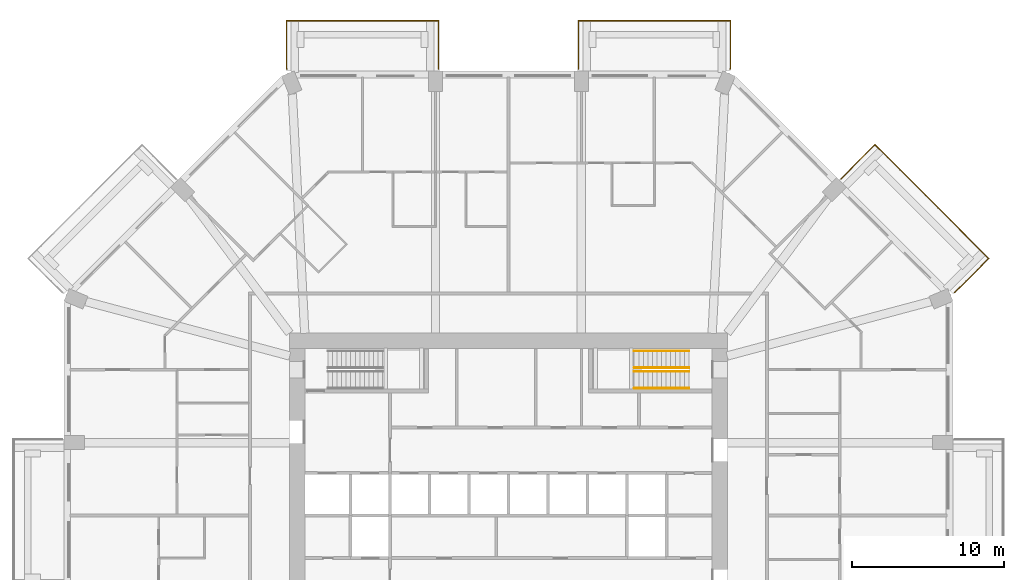
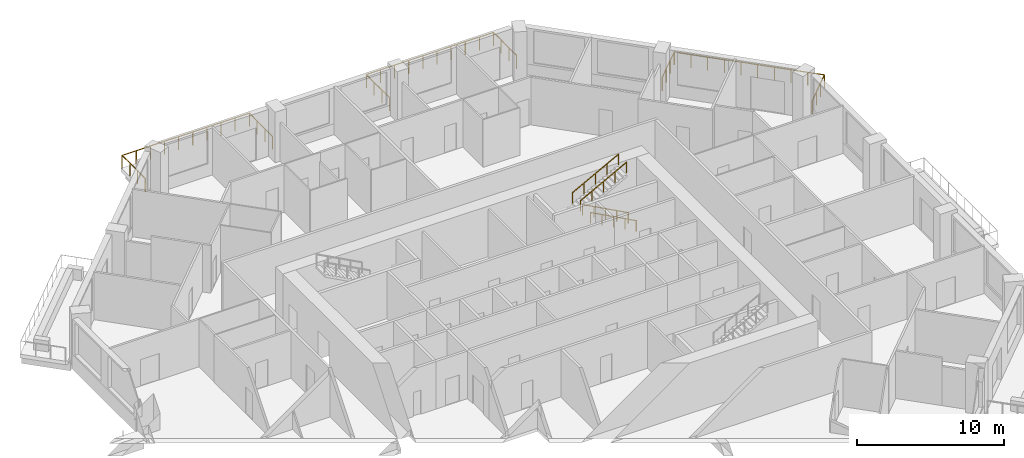
# One storey, part 13 of 13: 7 railings.
"""IFC4 building model written with IfcOpenShell, lengths in metres."""

from ifc_helpers import new_model, si_unit, direction, frame, origin, origin_2d, place, context, subcontext, project, spatial, circle, extrude, material, constituent, constituent_set, type_object, element, save


model = new_model("IFC4")

# Units and contexts
model_context = context("Model", 3, precision=1e-05, world=origin(), true_north=direction((0.0, 1.0)))
body_context = subcontext(model_context, "Body", "Model", "MODEL_VIEW")
ifc_project = project(units=[si_unit("LENGTHUNIT", "METRE"), si_unit("AREAUNIT", "SQUARE_METRE"), si_unit("VOLUMEUNIT", "CUBIC_METRE"), si_unit("PLANEANGLEUNIT", "RADIAN"), si_unit("MASSUNIT", "GRAM", prefix="KILO")], contexts=[model_context])

# Site, building, storey
site_placement = place(None, origin())
site = spatial("IfcSite", under=ifc_project, at=site_placement, CompositionType="ELEMENT")
building_placement = place(site_placement, origin())
building = spatial("IfcBuilding", under=site, at=building_placement, Name="Msitu Wima Residences", CompositionType="ELEMENT")
storey_placement = place(building_placement, frame((0.0, 0.0, 42.300048828125)))
storey = spatial("IfcBuildingStorey", under=building, at=storey_placement, Name="L09", CompositionType="ELEMENT", Elevation=42.300048828125)

# Railings
ifc_material_1 = material(Name="Steel S355", Category="steel")
ifc_constituent_1 = constituent(ifc_material_1, Name="Steel S355")
ifc_material_2 = material(Name="Weathering patina")
ifc_constituent_2 = constituent(ifc_material_2, Name="Weathering patina")
ifc_constituent_set_1 = constituent_set(constituents=[ifc_constituent_1, ifc_constituent_2], Name="Steel S355")
railing_type_1 = type_object("IfcRailingType", Name="Balcony guard GR1100", PredefinedType="GUARDRAIL", material=ifc_constituent_set_1)
railing_1_placement = place(storey_placement, frame((21.86865234375, 22.151611328125, 0.0)))
element("IfcRailing", 1, at=railing_1_placement, inside=storey, type_object=railing_type_1, Name="Balcony guard NE0 L09", PredefinedType="GUARDRAIL", context=body_context, shape_type="SweptSolid", body=[
    extrude(circle(Radius=0.02392578125, at=origin_2d()), frame((0.0, 0.0, 1.076171875), z_axis=(0.707145287287, 0.707068272989, 0.0), x_axis=(-0.707068272989, 0.707145287287, 0.0)), (0.0, 0.0, 1.0), 3.170166015625),
    extrude(circle(Radius=0.02392578125, at=origin_2d()), frame((2.24169921875, 2.241455078125, 1.076171875), z_axis=(0.70709524572, -0.707118316465, 0.0), x_axis=(0.707118316465, 0.70709524572, 0.0)), (0.0, 0.0, 1.0), 10.582275390625),
    extrude(circle(Radius=0.02392578125, at=origin_2d()), frame((9.724365234375, -5.241455078125, 1.076171875), z_axis=(-0.707106781187, -0.707106781187, 0.0), x_axis=(0.707106781187, -0.707106781187, 0.0)), (0.0, 0.0, 1.0), 3.136474609375),
    extrude(circle(Radius=0.02392578125, at=origin_2d()), frame((7.506591796875, -7.459228515625, 1.076171875), z_axis=(-0.923276184907, -0.384136806859, 0.0), x_axis=(0.384136806859, -0.923276184907, 0.0)), (0.0, 0.0, 1.0), 0.0361328125),
    extrude(circle(Radius=0.02099609375, at=origin_2d()), origin(), (0.0, 0.0, 1.0), 1.052001953125),
    extrude(circle(Radius=0.02099609375, at=origin_2d()), frame((0.747314453125, 0.7470703125, 0.0)), (0.0, 0.0, 1.0), 1.052001953125),
    extrude(circle(Radius=0.02099609375, at=origin_2d()), frame((1.494384765625, 1.494384765625, 0.0)), (0.0, 0.0, 1.0), 1.052001953125),
    extrude(circle(Radius=0.02099609375, at=origin_2d()), frame((2.24169921875, 2.241455078125, 0.0)), (0.0, 0.0, 1.0), 1.052001953125),
    extrude(circle(Radius=0.02099609375, at=origin_2d()), frame((3.072998046875, 1.409912109375, 0.0)), (0.0, 0.0, 1.0), 1.052001953125),
    extrude(circle(Radius=0.02099609375, at=origin_2d()), frame((3.904541015625, 0.57861328125, 0.0)), (0.0, 0.0, 1.0), 1.052001953125),
    extrude(circle(Radius=0.02099609375, at=origin_2d()), frame((4.73583984375, -0.2529296875, 0.0)), (0.0, 0.0, 1.0), 1.052001953125),
    extrude(circle(Radius=0.02099609375, at=origin_2d()), frame((5.5673828125, -1.084228515625, 0.0)), (0.0, 0.0, 1.0), 1.052001953125),
    extrude(circle(Radius=0.02099609375, at=origin_2d()), frame((6.398681640625, -1.915771484375, 0.0)), (0.0, 0.0, 1.0), 1.052001953125),
    extrude(circle(Radius=0.02099609375, at=origin_2d()), frame((7.230224609375, -2.7470703125, 0.0)), (0.0, 0.0, 1.0), 1.052001953125),
    extrude(circle(Radius=0.02099609375, at=origin_2d()), frame((8.0615234375, -3.57861328125, 0.0)), (0.0, 0.0, 1.0), 1.052001953125),
    extrude(circle(Radius=0.02099609375, at=origin_2d()), frame((8.89306640625, -4.409912109375, 0.0)), (0.0, 0.0, 1.0), 1.052001953125),
    extrude(circle(Radius=0.02099609375, at=origin_2d()), frame((9.724365234375, -5.241455078125, 0.0)), (0.0, 0.0, 1.0), 1.052001953125),
    extrude(circle(Radius=0.02099609375, at=origin_2d()), frame((8.985107421875, -5.980712890625, 0.0)), (0.0, 0.0, 1.0), 1.052001953125),
    extrude(circle(Radius=0.02099609375, at=origin_2d()), frame((8.245849609375, -6.719970703125, 0.0)), (0.0, 0.0, 1.0), 1.052001953125),
    extrude(circle(Radius=0.02099609375, at=origin_2d()), frame((7.506591796875, -7.459228515625, 0.0)), (0.0, 0.0, 1.0), 1.052001953125),
    extrude(circle(Radius=0.02099609375, at=origin_2d()), frame((7.47314453125, -7.47314453125, 0.0)), (0.0, 0.0, 1.0), 1.052001953125),
])
railing_2_placement = place(storey_placement, frame((4.60009765625, 29.3798828125, 0.0)))
element("IfcRailing", 2, at=railing_2_placement, inside=storey, type_object=railing_type_1, Name="Balcony guard N0 L09", PredefinedType="GUARDRAIL", context=body_context, shape_type="SweptSolid", body=[
    extrude(circle(Radius=0.02392578125, at=origin_2d()), frame((0.0, 0.0, 1.076171875), z_axis=(0.0, 1.0, 0.0), x_axis=(-1.0, 0.0, 0.0)), (0.0, 0.0, 1.0), 3.170166015625),
    extrude(circle(Radius=0.02392578125, at=origin_2d()), frame((0.0, 3.170166015625, 1.076171875), z_axis=(1.0, 0.0, 0.0), x_axis=(0.0, 1.0, 0.0)), (0.0, 0.0, 1.0), 10.0),
    extrude(circle(Radius=0.02392578125, at=origin_2d()), frame((10.0, 3.170166015625, 1.076171875), z_axis=(0.0, -1.0, 0.0), x_axis=(1.0, 0.0, 0.0)), (0.0, 0.0, 1.0), 3.136474609375),
    extrude(circle(Radius=0.02392578125, at=origin_2d()), frame((10.0, 0.03369140625, 1.076171875), z_axis=(-0.38176015442, -0.92426142649, 0.0), x_axis=(0.92426142649, -0.38176015442, 0.0)), (0.0, 0.0, 1.0), 0.036376953125),
    extrude(circle(Radius=0.02099609375, at=origin_2d()), origin(), (0.0, 0.0, 1.0), 1.052001953125),
    extrude(circle(Radius=0.02099609375, at=origin_2d()), frame((0.0, 1.056640625, 0.0)), (0.0, 0.0, 1.0), 1.052001953125),
    extrude(circle(Radius=0.02099609375, at=origin_2d()), frame((0.0, 2.113525390625, 0.0)), (0.0, 0.0, 1.0), 1.052001953125),
    extrude(circle(Radius=0.02099609375, at=origin_2d()), frame((0.0, 3.170166015625, 0.0)), (0.0, 0.0, 1.0), 1.052001953125),
    extrude(circle(Radius=0.02099609375, at=origin_2d()), frame((1.111083984375, 3.170166015625, 0.0)), (0.0, 0.0, 1.0), 1.052001953125),
    extrude(circle(Radius=0.02099609375, at=origin_2d()), frame((2.22216796875, 3.170166015625, 0.0)), (0.0, 0.0, 1.0), 1.052001953125),
    extrude(circle(Radius=0.02099609375, at=origin_2d()), frame((3.333251953125, 3.170166015625, 0.0)), (0.0, 0.0, 1.0), 1.052001953125),
    extrude(circle(Radius=0.02099609375, at=origin_2d()), frame((4.4443359375, 3.170166015625, 0.0)), (0.0, 0.0, 1.0), 1.052001953125),
    extrude(circle(Radius=0.02099609375, at=origin_2d()), frame((5.5556640625, 3.170166015625, 0.0)), (0.0, 0.0, 1.0), 1.052001953125),
    extrude(circle(Radius=0.02099609375, at=origin_2d()), frame((6.666748046875, 3.170166015625, 0.0)), (0.0, 0.0, 1.0), 1.052001953125),
    extrude(circle(Radius=0.02099609375, at=origin_2d()), frame((7.77783203125, 3.170166015625, 0.0)), (0.0, 0.0, 1.0), 1.052001953125),
    extrude(circle(Radius=0.02099609375, at=origin_2d()), frame((8.888916015625, 3.170166015625, 0.0)), (0.0, 0.0, 1.0), 1.052001953125),
    extrude(circle(Radius=0.02099609375, at=origin_2d()), frame((10.0, 3.170166015625, 0.0)), (0.0, 0.0, 1.0), 1.052001953125),
    extrude(circle(Radius=0.02099609375, at=origin_2d()), frame((10.0, 2.124755859375, 0.0)), (0.0, 0.0, 1.0), 1.052001953125),
    extrude(circle(Radius=0.02099609375, at=origin_2d()), frame((10.0, 1.0791015625, 0.0)), (0.0, 0.0, 1.0), 1.052001953125),
    extrude(circle(Radius=0.02099609375, at=origin_2d()), frame((10.0, 0.03369140625, 0.0)), (0.0, 0.0, 1.0), 1.052001953125),
    extrude(circle(Radius=0.02099609375, at=origin_2d()), frame((9.986083984375, 0.0, 0.0)), (0.0, 0.0, 1.0), 1.052001953125),
])
railing_3_placement = place(storey_placement, frame((-14.586181640625, 29.3798828125, 0.0)))
element("IfcRailing", 3, at=railing_3_placement, inside=storey, type_object=railing_type_1, Name="Balcony guard N2 L09", PredefinedType="GUARDRAIL", context=body_context, shape_type="SweptSolid", body=[
    extrude(circle(Radius=0.02392578125, at=origin_2d()), frame((0.0, 0.0, 1.076171875), z_axis=(-0.38176015442, 0.92426142649, 0.0), x_axis=(-0.92426142649, -0.38176015442, 0.0)), (0.0, 0.0, 1.0), 0.036376953125),
    extrude(circle(Radius=0.02392578125, at=origin_2d()), frame((-0.013916015625, 0.03369140625, 1.076171875), z_axis=(0.0, 1.0, 0.0), x_axis=(-1.0, 0.0, 0.0)), (0.0, 0.0, 1.0), 3.136474609375),
    extrude(circle(Radius=0.02392578125, at=origin_2d()), frame((-0.013916015625, 3.170166015625, 1.076171875), z_axis=(1.0, 0.0, 0.0), x_axis=(0.0, 1.0, 0.0)), (0.0, 0.0, 1.0), 10.0),
    extrude(circle(Radius=0.02392578125, at=origin_2d()), frame((9.986083984375, 3.170166015625, 1.076171875), z_axis=(0.0, -1.0, 0.0), x_axis=(1.0, 0.0, 0.0)), (0.0, 0.0, 1.0), 3.170166015625),
    extrude(circle(Radius=0.02099609375, at=origin_2d()), origin(), (0.0, 0.0, 1.0), 1.052001953125),
    extrude(circle(Radius=0.02099609375, at=origin_2d()), frame((-0.013916015625, 0.03369140625, 0.0)), (0.0, 0.0, 1.0), 1.052001953125),
    extrude(circle(Radius=0.02099609375, at=origin_2d()), frame((-0.013916015625, 1.0791015625, 0.0)), (0.0, 0.0, 1.0), 1.052001953125),
    extrude(circle(Radius=0.02099609375, at=origin_2d()), frame((-0.013916015625, 2.124755859375, 0.0)), (0.0, 0.0, 1.0), 1.052001953125),
    extrude(circle(Radius=0.02099609375, at=origin_2d()), frame((-0.013916015625, 3.170166015625, 0.0)), (0.0, 0.0, 1.0), 1.052001953125),
    extrude(circle(Radius=0.02099609375, at=origin_2d()), frame((1.09716796875, 3.170166015625, 0.0)), (0.0, 0.0, 1.0), 1.052001953125),
    extrude(circle(Radius=0.02099609375, at=origin_2d()), frame((2.208251953125, 3.170166015625, 0.0)), (0.0, 0.0, 1.0), 1.052001953125),
    extrude(circle(Radius=0.02099609375, at=origin_2d()), frame((3.3193359375, 3.170166015625, 0.0)), (0.0, 0.0, 1.0), 1.052001953125),
    extrude(circle(Radius=0.02099609375, at=origin_2d()), frame((4.430419921875, 3.170166015625, 0.0)), (0.0, 0.0, 1.0), 1.052001953125),
    extrude(circle(Radius=0.02099609375, at=origin_2d()), frame((5.541748046875, 3.170166015625, 0.0)), (0.0, 0.0, 1.0), 1.052001953125),
    extrude(circle(Radius=0.02099609375, at=origin_2d()), frame((6.65283203125, 3.170166015625, 0.0)), (0.0, 0.0, 1.0), 1.052001953125),
    extrude(circle(Radius=0.02099609375, at=origin_2d()), frame((7.763916015625, 3.170166015625, 0.0)), (0.0, 0.0, 1.0), 1.052001953125),
    extrude(circle(Radius=0.02099609375, at=origin_2d()), frame((8.875, 3.170166015625, 0.0)), (0.0, 0.0, 1.0), 1.052001953125),
    extrude(circle(Radius=0.02099609375, at=origin_2d()), frame((9.986083984375, 3.170166015625, 0.0)), (0.0, 0.0, 1.0), 1.052001953125),
    extrude(circle(Radius=0.02099609375, at=origin_2d()), frame((9.986083984375, 2.113525390625, 0.0)), (0.0, 0.0, 1.0), 1.052001953125),
    extrude(circle(Radius=0.02099609375, at=origin_2d()), frame((9.986083984375, 1.056640625, 0.0)), (0.0, 0.0, 1.0), 1.052001953125),
    extrude(circle(Radius=0.02099609375, at=origin_2d()), frame((9.986083984375, 0.0, 0.0)), (0.0, 0.0, 1.0), 1.052001953125),
])
ifc_constituent_3 = constituent(ifc_material_1, Name="Steel S355")
ifc_material_3 = material(Name="Black powder coating")
ifc_constituent_4 = constituent(ifc_material_3, Name="Black powder coating")
ifc_constituent_set_2 = constituent_set(constituents=[ifc_constituent_3, ifc_constituent_4], Name="Steel S355")
railing_type_2 = type_object("IfcRailingType", Name="Stair handrail HR1", PredefinedType="HANDRAIL", material=ifc_constituent_set_2)
for number, where, name in (
    (4, (11.875, 8.375, 0.161376953125), "Stair 3 handrail"),
    (5, (11.875, 9.47509765625, 0.161376953125), "Stair 3 handrail"),
):
    element("IfcRailing", number, at=place(storey_placement, frame(where)), inside=storey, type_object=railing_type_2, Name=name, PredefinedType="HANDRAIL", context=body_context, shape_type="SweptSolid", body=[
        extrude(circle(Radius=0.02392578125, at=origin_2d()), frame((0.0, 0.0, 0.8759765625), z_axis=(-0.880474934443, 0.0, 0.474092701714), x_axis=(0.0, -1.0, 0.0)), (0.0, 0.0, 1.0), 4.0888671875),
        extrude(circle(Radius=0.02099609375, at=origin_2d()), origin(), (0.0, 0.0, 1.0), 0.851806640625),
        extrude(circle(Radius=0.02099609375, at=origin_2d()), frame((-0.89990234375, 0.0, 0.484619140625)), (0.0, 0.0, 1.0), 0.851806640625),
        extrude(circle(Radius=0.02099609375, at=origin_2d()), frame((-1.800048828125, 0.0, 0.96923828125)), (0.0, 0.0, 1.0), 0.851806640625),
        extrude(circle(Radius=0.02099609375, at=origin_2d()), frame((-2.7001953125, 0.0, 1.453857421875)), (0.0, 0.0, 1.0), 0.851806640625),
        extrude(circle(Radius=0.02099609375, at=origin_2d()), frame((-3.60009765625, 0.0, 1.9384765625)), (0.0, 0.0, 1.0), 0.851806640625),
    ])
for number, where, name in (
    (6, (8.27490234375, 9.72509765625, 2.261474609375), "Stair 3 handrail"),
    (7, (8.27490234375, 10.824951171875, 2.261474609375), "Stair 3 handrail"),
):
    element("IfcRailing", number, at=place(storey_placement, frame(where)), inside=storey, type_object=railing_type_2, Name=name, PredefinedType="HANDRAIL", context=body_context, shape_type="SweptSolid", body=[
        extrude(circle(Radius=0.02392578125, at=origin_2d()), frame((0.0, 0.0, 0.8759765625), z_axis=(0.880474934443, 0.0, 0.474092701714), x_axis=(0.0, 1.0, 0.0)), (0.0, 0.0, 1.0), 4.0888671875),
        extrude(circle(Radius=0.02099609375, at=origin_2d()), origin(), (0.0, 0.0, 1.0), 0.851806640625),
        extrude(circle(Radius=0.02099609375, at=origin_2d()), frame((0.89990234375, 0.0, 0.484619140625)), (0.0, 0.0, 1.0), 0.851806640625),
        extrude(circle(Radius=0.02099609375, at=origin_2d()), frame((1.800048828125, 0.0, 0.96923828125)), (0.0, 0.0, 1.0), 0.851806640625),
        extrude(circle(Radius=0.02099609375, at=origin_2d()), frame((2.7001953125, 0.0, 1.453857421875)), (0.0, 0.0, 1.0), 0.851806640625),
        extrude(circle(Radius=0.02099609375, at=origin_2d()), frame((3.60009765625, 0.0, 1.9384765625)), (0.0, 0.0, 1.0), 0.851806640625),
    ])

save(model, "model.ifc")
